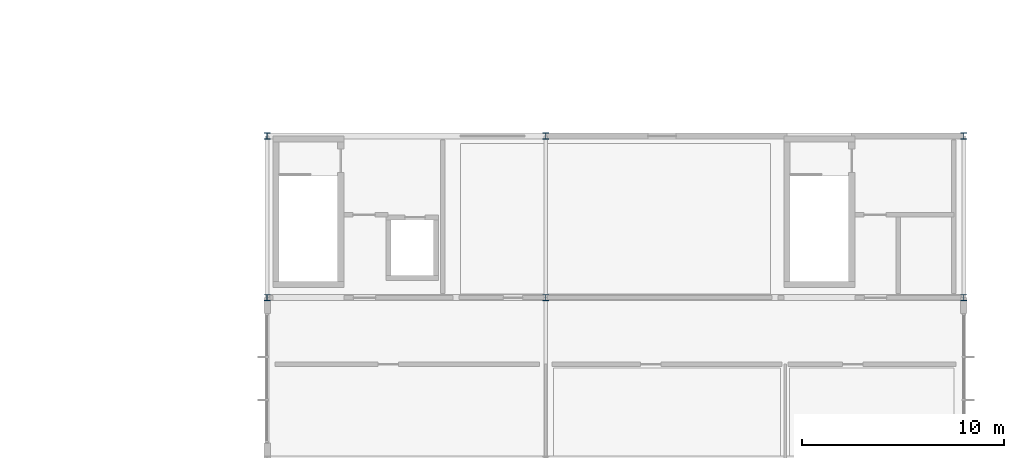
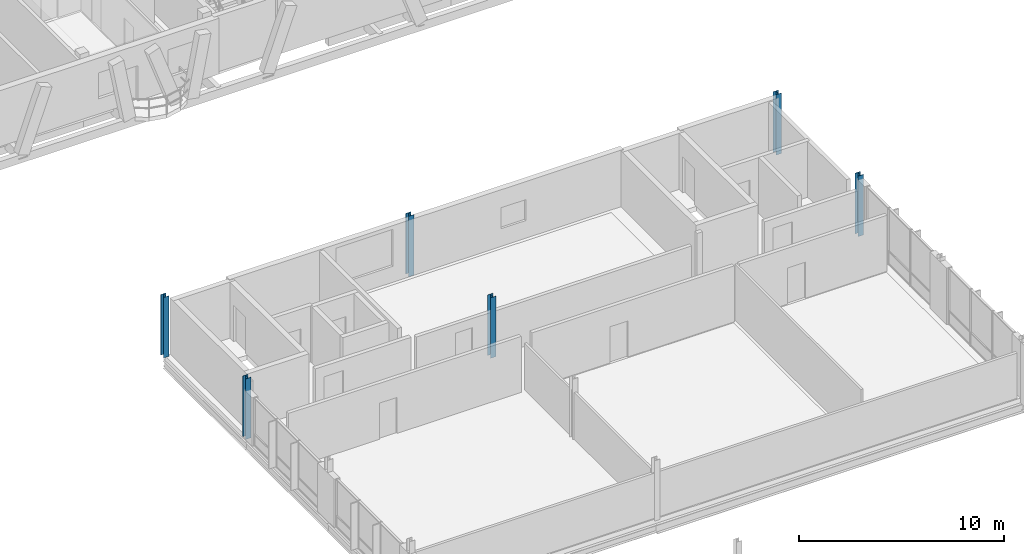
# One storey, part 14 of 189: 6 columns.
"""IFC4 building model written with IfcOpenShell, lengths in metres."""

from ifc_helpers import new_model, si_unit, direction, frame, origin, origin_2d, place, context, subcontext, project, spatial, i_section, extrude, material, material_profile, profile_set, type_object, element, save


model = new_model("IFC4")

# Units and contexts
model_context = context("Model", 3, precision=1e-05, world=origin(), true_north=direction((0.0, 1.0)))
body_context = subcontext(model_context, "Body", "Model", "MODEL_VIEW")
ifc_project = project(units=[si_unit("LENGTHUNIT", "METRE"), si_unit("AREAUNIT", "SQUARE_METRE"), si_unit("VOLUMEUNIT", "CUBIC_METRE"), si_unit("PLANEANGLEUNIT", "RADIAN"), si_unit("MASSUNIT", "GRAM", prefix="KILO")], contexts=[model_context])

# Site, building, storey
site_placement = place(None, origin())
site = spatial("IfcSite", under=ifc_project, at=site_placement, CompositionType="ELEMENT")
building_placement = place(site_placement, origin())
building = spatial("IfcBuilding", under=site, at=building_placement, Name="Zavelmont Quarter", CompositionType="ELEMENT")
storey_placement = place(building_placement, frame((0.0, 0.0, 4.39990234375)))
storey = spatial("IfcBuildingStorey", under=building, at=storey_placement, Name="L01", CompositionType="ELEMENT", Elevation=4.39990234375)

# Columns
ifc_material = material(Name="Steel S355", Category="steel")
ifc_material_profile = material_profile(ifc_material, i_section(OverallWidth=0.300048828125, OverallDepth=0.300048828125, WebThickness=0.010986328125, FlangeThickness=0.01904296875, at=origin_2d()), Name="HEB 300")
ifc_profile_set = profile_set([ifc_material_profile], Name="Steel S355")
column_type = type_object("IfcColumnType", Name="CL10", PredefinedType="COLUMN", material=ifc_profile_set)
for number, where, z_axis, x_axis, name in (
    (1, (133.5, 70.0, 0.0), (0.0, 0.0, 1.0), (1.0, 0.0, 0.0), "L01 column CL10 at 20/L"),
    (2, (133.5, 78.0, 0.0), (0.0, 0.0, 1.0), (1.0, 0.0, 0.0), "L01 column CL10 at 20/M"),
    (3, (147.300048828125, 70.0, 0.0), (0.0, 0.0, 1.0), (1.0, 0.0, 0.0), "L01 column CL10 at 22/L"),
    (4, (147.300048828125, 78.0, 0.0), (0.0, 0.0, 1.0), (1.0, 0.0, 0.0), "L01 column CL10 at 22/M"),
    (5, (168.0, 70.0, 0.0), (0.0, 0.0, 1.0), (1.0, 0.0, 0.0), "L01 column CL10 at 25/L"),
    (6, (168.0, 78.0, 0.0), (0.0, 0.0, 1.0), (1.0, 0.0, 0.0), "L01 column CL10 at 25/M"),
):
    element("IfcColumn", number, at=place(storey_placement, frame(where, z_axis=z_axis, x_axis=x_axis)), inside=storey, type_object=column_type, Name=name, PredefinedType="COLUMN", context=body_context, shape_type="SweptSolid", body=[
        extrude(i_section(OverallWidth=0.300048828125, OverallDepth=0.300048828125, WebThickness=0.010986328125, FlangeThickness=0.01904296875, at=origin_2d()), origin(), (0.0, 0.0, 1.0), 3.60009765625),
    ])

save(model, "model.ifc")
